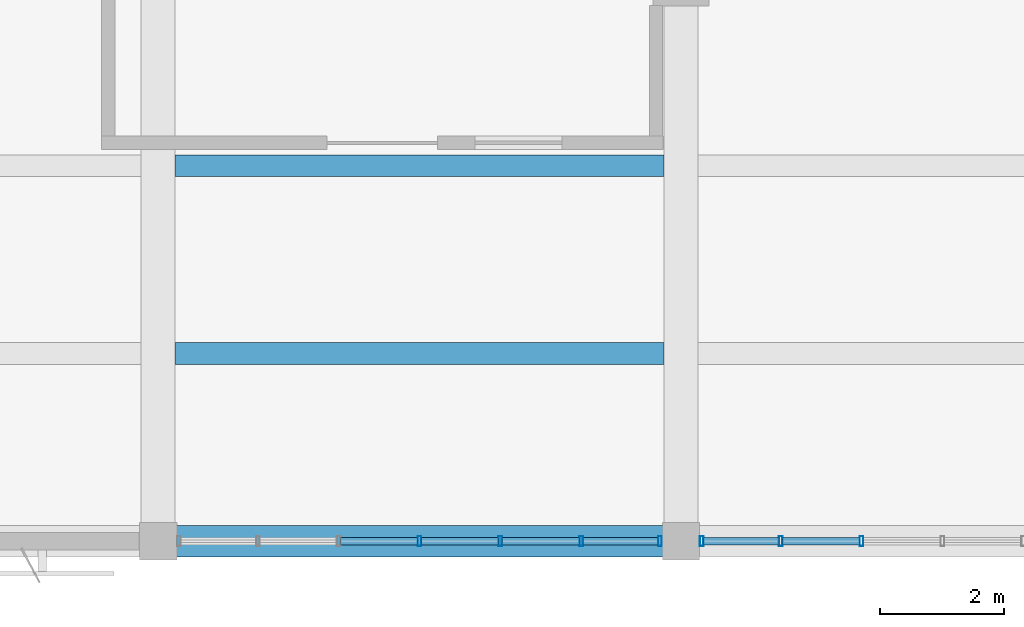
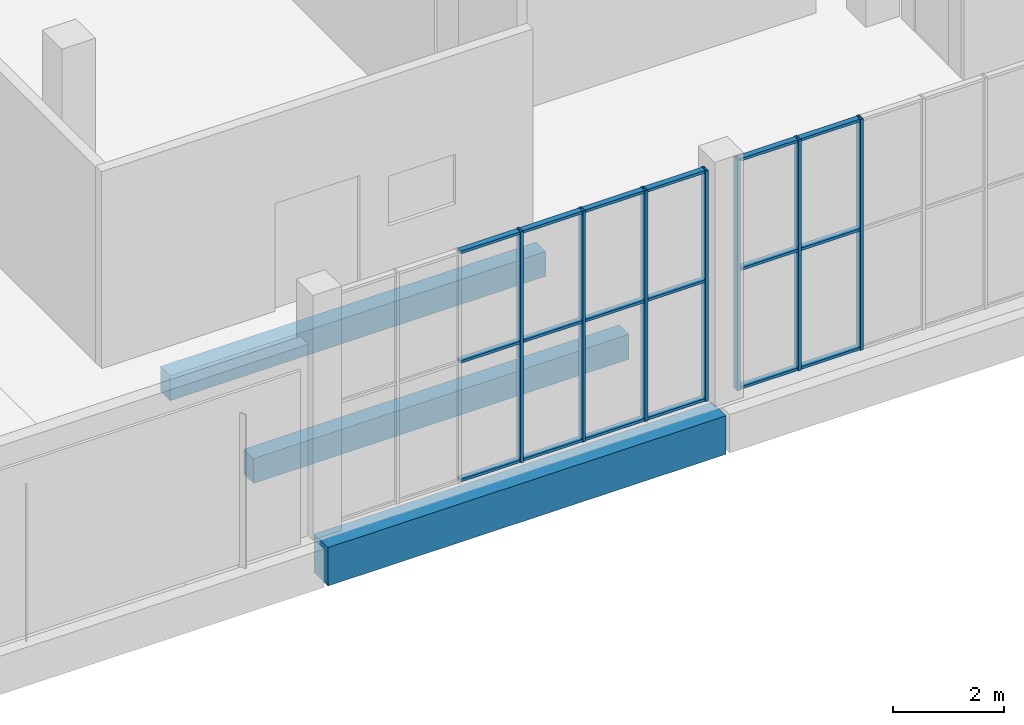
# One storey, part 30 of 132: 25 members, 3 beams, 2 elements without a shape of their own.
"""IFC4 building model written with IfcOpenShell, lengths in metres."""

import ifcopenshell
import ifcopenshell.guid

model = None  # the IFC model being written
_history = None  # IfcOwnerHistory: only IFC2X3 demands one
_inside = {}  # id of a spatial element -> (the spatial element, [elements in it])
_under = {}  # id of a project, library or spatial element -> (it, [spatial elements below it])
_declared = {}  # id of a project -> (the project, [libraries it declares])
_typed = {}  # id of a type object -> (the type object, [elements of that type])
_made_of = {}  # id of a material, layer set ... -> (it, [elements and type objects made of it])


def new_model(schema):
    """Start an empty IFC model of exactly this schema.

    Asked for "IFC4X3", IfcOpenShell would pick the latest addendum, in which some entities
    have other attributes; the version numbers below select the first issue.
    IFC2X3 requires an IfcOwnerHistory on every rooted entity: one is made here for all.
    """
    global model, _history
    if schema == "IFC4X3":
        model = ifcopenshell.file(schema_version=(4, 3, 0, 0))
    else:
        model = ifcopenshell.file(schema=schema)
    _inside.clear()
    _under.clear()
    _declared.clear()
    _typed.clear()
    _made_of.clear()
    _history = None
    if model.schema == "IFC2X3":
        org = make("IfcOrganization", Name="unknown")
        user = make(
            "IfcPersonAndOrganization",
            ThePerson=make("IfcPerson", FamilyName="unknown"),
            TheOrganization=org,
        )
        app = make(
            "IfcApplication",
            ApplicationDeveloper=org,
            Version="unknown",
            ApplicationFullName="unknown",
            ApplicationIdentifier="unknown",
        )
        _history = make(
            "IfcOwnerHistory",
            OwningUser=user,
            OwningApplication=app,
            ChangeAction="ADDED",
            CreationDate=0,
        )
    return model


def make(cls, **values):
    """One entity of the class cls with the attributes given. An attribute that is None is left unset."""
    return model.create_entity(
        cls, **{name: value for name, value in values.items() if value is not None}
    )


def rooted(cls, **values):
    """An entity with a GlobalId (a new one), such as an element, a storey or a relation."""
    return make(cls, GlobalId=ifcopenshell.guid.new(), OwnerHistory=_history, **values)


def si_unit(unit_type, name, prefix=None):
    """IfcSIUnit, for example si_unit("LENGTHUNIT", "METRE", prefix="MILLI")."""
    return make("IfcSIUnit", UnitType=unit_type, Prefix=prefix, Name=name)


def assignment(units):
    """IfcUnitAssignment: the units of a project."""
    return None if units is None else make("IfcUnitAssignment", Units=units)


def point(xyz):
    """IfcCartesianPoint."""
    return None if xyz is None else make("IfcCartesianPoint", Coordinates=xyz)


def direction(xyz):
    """IfcDirection."""
    return None if xyz is None else make("IfcDirection", DirectionRatios=xyz)


def frame(location, z_axis=None, x_axis=None):
    """IfcAxis2Placement3D, a coordinate frame: its origin and axes. An axis left out is left unset."""
    return make(
        "IfcAxis2Placement3D",
        Location=point(location),
        Axis=direction(z_axis),
        RefDirection=direction(x_axis),
    )


def frame_2d(location, x_axis=None):
    """IfcAxis2Placement2D, a coordinate frame in the plane: its origin and x axis."""
    return make(
        "IfcAxis2Placement2D", Location=point(location), RefDirection=direction(x_axis)
    )


def origin():
    """The frame at (0, 0, 0) with its axes left unset."""
    return frame((0.0, 0.0, 0.0))


def origin_2d():
    """The frame at (0, 0) in the plane with its x axis left unset."""
    return frame_2d((0.0, 0.0))


def place(relative_to, where):
    """IfcLocalPlacement: puts the frame where relative to a parent placement (None: the world)."""
    return make(
        "IfcLocalPlacement", PlacementRelTo=relative_to, RelativePlacement=where
    )


def context(
    kind, dimensions, precision=None, world=None, true_north=None, identifier=None
):
    """IfcGeometricRepresentationContext, for example the 3D "Model" context."""
    return make(
        "IfcGeometricRepresentationContext",
        ContextIdentifier=identifier,
        ContextType=kind,
        CoordinateSpaceDimension=dimensions,
        Precision=precision,
        WorldCoordinateSystem=world,
        TrueNorth=true_north,
    )


def subcontext(parent, identifier, kind, view, scale=None):
    """IfcGeometricRepresentationSubContext, for example "Body" below "Model"."""
    return make(
        "IfcGeometricRepresentationSubContext",
        ContextIdentifier=identifier,
        ContextType=kind,
        ParentContext=parent,
        TargetScale=scale,
        TargetView=view,
    )


def project(units=None, contexts=None):
    """IfcProject with its units and contexts."""
    return rooted(
        "IfcProject",
        Name="project",
        RepresentationContexts=contexts,
        UnitsInContext=assignment(units),
    )


def spatial(cls, under=None, at=None, **own):
    """A site, building, storey or space (cls), placed at a placement, below another one or the project."""
    s = rooted(cls, ObjectPlacement=at, **own)
    if under is not None:
        _under.setdefault(under.id(), (under, []))[1].append(s)
    return s


def profile(cls, at=None, kind="AREA", **sizes):
    """A parametric profile (cls). Its sizes go by their IFC names, for example OverallWidth=200.0."""
    return make(cls, ProfileType=kind, Position=at, **sizes)


def rectangle(**sizes):
    """IfcRectangleProfileDef."""
    return profile("IfcRectangleProfileDef", **sizes)


def hollow_rectangle(**sizes):
    """IfcRectangleHollowProfileDef."""
    return profile("IfcRectangleHollowProfileDef", **sizes)


def extrude(swept, where, along, depth):
    """IfcExtrudedAreaSolid: the profile swept, set in the frame where, extruded along a direction by depth."""
    return make(
        "IfcExtrudedAreaSolid",
        SweptArea=swept,
        Position=where,
        ExtrudedDirection=direction(along),
        Depth=depth,
    )


def shape(context_of_items, identifier, shape_type, items):
    """IfcShapeRepresentation: the items that make up one representation, for example the "Body"."""
    return make(
        "IfcShapeRepresentation",
        ContextOfItems=context_of_items,
        RepresentationIdentifier=identifier,
        RepresentationType=shape_type,
        Items=items,
    )


def material(Name=None, Category=None):
    """IfcMaterial."""
    return make("IfcMaterial", Name=Name, Category=Category)


def material_profile(
    of_material, cross_section, Name=None, Category=None, Priority=None
):
    """IfcMaterialProfile: a cross section and its material."""
    return make(
        "IfcMaterialProfile",
        Name=Name,
        Material=of_material,
        Profile=cross_section,
        Priority=Priority,
        Category=Category,
    )


def profile_set(profiles, Name=None, composite=None):
    """IfcMaterialProfileSet."""
    return make(
        "IfcMaterialProfileSet",
        Name=Name,
        MaterialProfiles=profiles,
        CompositeProfile=composite,
    )


def made_of(thing, what):
    """Note that an element or type object is made of a material, layer set ...; save() writes the relation."""
    if what is not None:
        _made_of.setdefault(what.id(), (what, []))[1].append(thing)
    return thing


def type_object(cls, material=None, **own):
    """A type object (cls), such as IfcWallType, which elements share."""
    return made_of(rooted(cls, **own), material)


def element(
    cls,
    number,
    at=None,
    inside=None,
    cuts=None,
    type_object=None,
    material=None,
    context=None,
    identifier="Body",
    shape_type=None,
    held_by="IfcProductDefinitionShape",
    body=None,
    shapes=None,
    **own,
):
    """One element of the class cls, such as IfcWall. Its Tag is "e" and its number.

    at: its placement. inside: the storey or other place that contains it. cuts: it is an
    opening in that element (IfcRelVoidsElement). A single representation is given by context,
    identifier, shape_type and body (its items); several are given by shapes. held_by: the class
    of the entity that holds the representations. save() writes the other relations.
    """
    e = rooted(cls, Tag="e%d" % number, ObjectPlacement=at, **own)
    if body is not None:
        shapes = [shape(context, identifier, shape_type, body)]
    if shapes is not None:
        e.Representation = make(held_by, Representations=shapes)
    if inside is not None:
        _inside.setdefault(inside.id(), (inside, []))[1].append(e)
    if cuts is not None:
        rooted(
            "IfcRelVoidsElement", RelatingBuildingElement=cuts, RelatedOpeningElement=e
        )
    if type_object is not None:
        _typed.setdefault(type_object.id(), (type_object, []))[1].append(e)
    return made_of(e, material)


def aggregate(whole, parts):
    """IfcRelAggregates: a whole, such as a stair, and the parts it consists of."""
    return rooted("IfcRelAggregates", RelatingObject=whole, RelatedObjects=parts)


def save(model, path):
    """Write the relations noted so far, then the file.

    IfcRelAggregates (storeys below a building ...), IfcRelContainedInSpatialStructure (elements
    in a storey), IfcRelDefinesByType, IfcRelAssociatesMaterial and IfcRelDeclares: one each for
    every whole, place, type object, material and project.
    """
    for whole, parts in _under.values():
        aggregate(whole, parts)
    for where, things in _inside.values():
        rooted(
            "IfcRelContainedInSpatialStructure",
            RelatedElements=things,
            RelatingStructure=where,
        )
    for kind, things in _typed.values():
        rooted("IfcRelDefinesByType", RelatedObjects=things, RelatingType=kind)
    for what, things in _made_of.values():
        rooted("IfcRelAssociatesMaterial", RelatedObjects=things, RelatingMaterial=what)
    for by, libraries in _declared.values():
        rooted("IfcRelDeclares", RelatingContext=by, RelatedDefinitions=libraries)
    model.write(path)


model = new_model("IFC4")

# Units and contexts
model_context = context("Model", 3, precision=1e-05, world=origin(), true_north=direction((0.0, 1.0)))
body_context = subcontext(model_context, "Body", "Model", "MODEL_VIEW")
ifc_project = project(units=[si_unit("LENGTHUNIT", "METRE"), si_unit("AREAUNIT", "SQUARE_METRE"), si_unit("VOLUMEUNIT", "CUBIC_METRE"), si_unit("PLANEANGLEUNIT", "RADIAN"), si_unit("MASSUNIT", "GRAM", prefix="KILO")], contexts=[model_context])

# Site, building, storey
site_placement = place(None, origin())
site = spatial("IfcSite", under=ifc_project, at=site_placement, CompositionType="ELEMENT")
building_placement = place(site_placement, origin())
building = spatial("IfcBuilding", under=site, at=building_placement, Name="Khurvash Pelagic Aquarium", CompositionType="ELEMENT")
storey_placement = place(building_placement, frame((0.0, 0.0, 5.39990234375)))
storey = spatial("IfcBuildingStorey", under=building, at=storey_placement, Name="L01", CompositionType="ELEMENT", Elevation=5.39990234375)

# Curtain wall, members
ifc_material_1 = material(Name="Anodised aluminium and low-E laminated glass", Category="aluminium")
curtain_wall_type = type_object("IfcCurtainWallType", Name="CW-05", PredefinedType="USERDEFINED", material=ifc_material_1)
curtain_wall_1_placement = place(storey_placement, origin())
curtain_wall_1 = element("IfcCurtainWall", 1, at=curtain_wall_1_placement, inside=storey, type_object=curtain_wall_type, Name="L01 Facade Unitised Curtain Wall CW-05 0106", ObjectType="UNITISED CURTAIN WALL", PredefinedType="USERDEFINED")
ifc_material_2 = material(Name="Extruded aluminium AW-6063-T6", Category="aluminium")
ifc_material_profile_1 = material_profile(ifc_material_2, hollow_rectangle(XDim=0.06005859375, YDim=0.159912109375, WallThickness=0.00390625, at=origin_2d()), Name="CWM60X160X4")
ifc_profile_set_1 = profile_set([ifc_material_profile_1], Name="Extruded aluminium AW-6063-T6")
member_type_1 = type_object("IfcMemberType", Name="CM-02", PredefinedType="MULLION", material=ifc_profile_set_1)
member_1_placement = place(storey_placement, frame((88.199951171875, 2.60009765625, 0.0), z_axis=(0.0, 0.0, 1.0), x_axis=(1.0, 0.0, 0.0)))
member_1 = element("IfcMember", 2, at=member_1_placement, type_object=member_type_1, Name="CW-05 mullion 4", PredefinedType="MULLION", context=body_context, shape_type="SweptSolid", body=[
    extrude(hollow_rectangle(XDim=0.06005859375, YDim=0.159912109375, WallThickness=0.00390625, at=origin_2d()), origin(), (0.0, 0.0, 1.0), 5.10009765625),
])
member_2_placement = place(storey_placement, frame((89.498291015625, 2.60009765625, 0.0), z_axis=(0.0, 0.0, 1.0), x_axis=(1.0, 0.0, 0.0)))
member_2 = element("IfcMember", 3, at=member_2_placement, type_object=member_type_1, Name="CW-05 mullion 5", PredefinedType="MULLION", context=body_context, shape_type="SweptSolid", body=[
    extrude(hollow_rectangle(XDim=0.06005859375, YDim=0.159912109375, WallThickness=0.00390625, at=origin_2d()), origin(), (0.0, 0.0, 1.0), 5.10009765625),
])
member_3_placement = place(storey_placement, frame((90.796630859375, 2.60009765625, 0.0), z_axis=(0.0, 0.0, 1.0), x_axis=(1.0, 0.0, 0.0)))
member_3 = element("IfcMember", 4, at=member_3_placement, type_object=member_type_1, Name="CW-05 mullion 6", PredefinedType="MULLION", context=body_context, shape_type="SweptSolid", body=[
    extrude(hollow_rectangle(XDim=0.06005859375, YDim=0.159912109375, WallThickness=0.00390625, at=origin_2d()), origin(), (0.0, 0.0, 1.0), 5.10009765625),
])
member_4_placement = place(storey_placement, frame((92.06494140625, 2.60009765625, 0.0), z_axis=(0.0, 0.0, 1.0), x_axis=(1.0, 0.0, 0.0)))
member_4 = element("IfcMember", 5, at=member_4_placement, type_object=member_type_1, Name="CW-05 mullion 7", PredefinedType="MULLION", context=body_context, shape_type="SweptSolid", body=[
    extrude(hollow_rectangle(XDim=0.06005859375, YDim=0.159912109375, WallThickness=0.00390625, at=origin_2d()), origin(), (0.0, 0.0, 1.0), 5.10009765625),
])

curtain_wall_2_placement = place(storey_placement, origin())
curtain_wall_2 = element("IfcCurtainWall", 6, at=curtain_wall_2_placement, inside=storey, type_object=curtain_wall_type, Name="L01 Facade Unitised Curtain Wall CW-05 0107", ObjectType="UNITISED CURTAIN WALL", PredefinedType="USERDEFINED")
member_5_placement = place(storey_placement, frame((92.735107421875, 2.60009765625, 0.0), z_axis=(0.0, 0.0, 1.0), x_axis=(1.0, 0.0, 0.0)))
member_5 = element("IfcMember", 7, at=member_5_placement, type_object=member_type_1, Name="CW-05 mullion 1", PredefinedType="MULLION", context=body_context, shape_type="SweptSolid", body=[
    extrude(hollow_rectangle(XDim=0.06005859375, YDim=0.159912109375, WallThickness=0.00390625, at=origin_2d()), origin(), (0.0, 0.0, 1.0), 5.10009765625),
])
member_6_placement = place(storey_placement, frame((94.00341796875, 2.60009765625, 0.0), z_axis=(0.0, 0.0, 1.0), x_axis=(1.0, 0.0, 0.0)))
member_6 = element("IfcMember", 8, at=member_6_placement, type_object=member_type_1, Name="CW-05 mullion 2", PredefinedType="MULLION", context=body_context, shape_type="SweptSolid", body=[
    extrude(hollow_rectangle(XDim=0.06005859375, YDim=0.159912109375, WallThickness=0.00390625, at=origin_2d()), origin(), (0.0, 0.0, 1.0), 5.10009765625),
])
member_7_placement = place(storey_placement, frame((95.3017578125, 2.60009765625, 0.0), z_axis=(0.0, 0.0, 1.0), x_axis=(1.0, 0.0, 0.0)))
member_7 = element("IfcMember", 9, at=member_7_placement, type_object=member_type_1, Name="CW-05 mullion 3", PredefinedType="MULLION", context=body_context, shape_type="SweptSolid", body=[
    extrude(hollow_rectangle(XDim=0.06005859375, YDim=0.159912109375, WallThickness=0.00390625, at=origin_2d()), origin(), (0.0, 0.0, 1.0), 5.10009765625),
])

# Member
ifc_material_profile_2 = material_profile(ifc_material_2, hollow_rectangle(XDim=0.1201171875, YDim=0.06005859375, WallThickness=0.00390625, at=origin_2d()), Name="CWT120X60X4")
ifc_profile_set_2 = profile_set([ifc_material_profile_2], Name="Extruded aluminium AW-6063-T6")
member_type_2 = type_object("IfcMemberType", Name="CT-02", PredefinedType="USERDEFINED", material=ifc_profile_set_2)
member_8_placement = place(storey_placement, frame((86.931640625, 2.60009765625, 0.030029296875), z_axis=(1.0, 0.0, 0.0), x_axis=(0.0, 1.0, 0.0)))
member_8 = element("IfcMember", 10, at=member_8_placement, type_object=member_type_2, Name="CW-05 transom 3.1", ObjectType="TRANSOM", PredefinedType="USERDEFINED", context=body_context, shape_type="SweptSolid", body=[
    extrude(hollow_rectangle(XDim=0.1201171875, YDim=0.06005859375, WallThickness=0.00390625, at=origin_2d()), origin(), (0.0, 0.0, 1.0), 1.23828125),
])

member_9_placement = place(storey_placement, frame((86.931640625, 2.60009765625, 2.652099609375), z_axis=(1.0, 0.0, 0.0), x_axis=(0.0, 1.0, 0.0)))
member_9 = element("IfcMember", 11, at=member_9_placement, type_object=member_type_2, Name="CW-05 transom 3.2", ObjectType="TRANSOM", PredefinedType="USERDEFINED", context=body_context, shape_type="SweptSolid", body=[
    extrude(hollow_rectangle(XDim=0.1201171875, YDim=0.06005859375, WallThickness=0.00390625, at=origin_2d()), origin(), (0.0, 0.0, 1.0), 1.23828125),
])

member_10_placement = place(storey_placement, frame((86.931640625, 2.60009765625, 5.070068359375), z_axis=(1.0, 0.0, 0.0), x_axis=(0.0, 1.0, 0.0)))
member_10 = element("IfcMember", 12, at=member_10_placement, type_object=member_type_2, Name="CW-05 transom 3.3", ObjectType="TRANSOM", PredefinedType="USERDEFINED", context=body_context, shape_type="SweptSolid", body=[
    extrude(hollow_rectangle(XDim=0.1201171875, YDim=0.06005859375, WallThickness=0.00390625, at=origin_2d()), origin(), (0.0, 0.0, 1.0), 1.23828125),
])

member_11_placement = place(storey_placement, frame((88.22998046875, 2.60009765625, 0.030029296875), z_axis=(1.0, 0.0, 0.0), x_axis=(0.0, 1.0, 0.0)))
member_11 = element("IfcMember", 13, at=member_11_placement, type_object=member_type_2, Name="CW-05 transom 4.1", ObjectType="TRANSOM", PredefinedType="USERDEFINED", context=body_context, shape_type="SweptSolid", body=[
    extrude(hollow_rectangle(XDim=0.1201171875, YDim=0.06005859375, WallThickness=0.00390625, at=origin_2d()), origin(), (0.0, 0.0, 1.0), 1.23828125),
])

member_12_placement = place(storey_placement, frame((88.22998046875, 2.60009765625, 2.652099609375), z_axis=(1.0, 0.0, 0.0), x_axis=(0.0, 1.0, 0.0)))
member_12 = element("IfcMember", 14, at=member_12_placement, type_object=member_type_2, Name="CW-05 transom 4.2", ObjectType="TRANSOM", PredefinedType="USERDEFINED", context=body_context, shape_type="SweptSolid", body=[
    extrude(hollow_rectangle(XDim=0.1201171875, YDim=0.06005859375, WallThickness=0.00390625, at=origin_2d()), origin(), (0.0, 0.0, 1.0), 1.23828125),
])

member_13_placement = place(storey_placement, frame((88.22998046875, 2.60009765625, 5.070068359375), z_axis=(1.0, 0.0, 0.0), x_axis=(0.0, 1.0, 0.0)))
member_13 = element("IfcMember", 15, at=member_13_placement, type_object=member_type_2, Name="CW-05 transom 4.3", ObjectType="TRANSOM", PredefinedType="USERDEFINED", context=body_context, shape_type="SweptSolid", body=[
    extrude(hollow_rectangle(XDim=0.1201171875, YDim=0.06005859375, WallThickness=0.00390625, at=origin_2d()), origin(), (0.0, 0.0, 1.0), 1.23828125),
])

member_14_placement = place(storey_placement, frame((89.5283203125, 2.60009765625, 0.030029296875), z_axis=(1.0, 0.0, 0.0), x_axis=(0.0, 1.0, 0.0)))
member_14 = element("IfcMember", 16, at=member_14_placement, type_object=member_type_2, Name="CW-05 transom 5.1", ObjectType="TRANSOM", PredefinedType="USERDEFINED", context=body_context, shape_type="SweptSolid", body=[
    extrude(hollow_rectangle(XDim=0.1201171875, YDim=0.06005859375, WallThickness=0.00390625, at=origin_2d()), origin(), (0.0, 0.0, 1.0), 1.23828125),
])

member_15_placement = place(storey_placement, frame((89.5283203125, 2.60009765625, 2.652099609375), z_axis=(1.0, 0.0, 0.0), x_axis=(0.0, 1.0, 0.0)))
member_15 = element("IfcMember", 17, at=member_15_placement, type_object=member_type_2, Name="CW-05 transom 5.2", ObjectType="TRANSOM", PredefinedType="USERDEFINED", context=body_context, shape_type="SweptSolid", body=[
    extrude(hollow_rectangle(XDim=0.1201171875, YDim=0.06005859375, WallThickness=0.00390625, at=origin_2d()), origin(), (0.0, 0.0, 1.0), 1.23828125),
])

member_16_placement = place(storey_placement, frame((89.5283203125, 2.60009765625, 5.070068359375), z_axis=(1.0, 0.0, 0.0), x_axis=(0.0, 1.0, 0.0)))
member_16 = element("IfcMember", 18, at=member_16_placement, type_object=member_type_2, Name="CW-05 transom 5.3", ObjectType="TRANSOM", PredefinedType="USERDEFINED", context=body_context, shape_type="SweptSolid", body=[
    extrude(hollow_rectangle(XDim=0.1201171875, YDim=0.06005859375, WallThickness=0.00390625, at=origin_2d()), origin(), (0.0, 0.0, 1.0), 1.23828125),
])

member_17_placement = place(storey_placement, frame((90.82666015625, 2.60009765625, 0.030029296875), z_axis=(1.0, 0.0, 0.0), x_axis=(0.0, 1.0, 0.0)))
member_17 = element("IfcMember", 19, at=member_17_placement, type_object=member_type_2, Name="CW-05 transom 6.1", ObjectType="TRANSOM", PredefinedType="USERDEFINED", context=body_context, shape_type="SweptSolid", body=[
    extrude(hollow_rectangle(XDim=0.1201171875, YDim=0.06005859375, WallThickness=0.00390625, at=origin_2d()), origin(), (0.0, 0.0, 1.0), 1.208251953125),
])

member_18_placement = place(storey_placement, frame((90.82666015625, 2.60009765625, 2.652099609375), z_axis=(1.0, 0.0, 0.0), x_axis=(0.0, 1.0, 0.0)))
member_18 = element("IfcMember", 20, at=member_18_placement, type_object=member_type_2, Name="CW-05 transom 6.2", ObjectType="TRANSOM", PredefinedType="USERDEFINED", context=body_context, shape_type="SweptSolid", body=[
    extrude(hollow_rectangle(XDim=0.1201171875, YDim=0.06005859375, WallThickness=0.00390625, at=origin_2d()), origin(), (0.0, 0.0, 1.0), 1.208251953125),
])

member_19_placement = place(storey_placement, frame((90.82666015625, 2.60009765625, 5.070068359375), z_axis=(1.0, 0.0, 0.0), x_axis=(0.0, 1.0, 0.0)))
member_19 = element("IfcMember", 21, at=member_19_placement, type_object=member_type_2, Name="CW-05 transom 6.3", ObjectType="TRANSOM", PredefinedType="USERDEFINED", context=body_context, shape_type="SweptSolid", body=[
    extrude(hollow_rectangle(XDim=0.1201171875, YDim=0.06005859375, WallThickness=0.00390625, at=origin_2d()), origin(), (0.0, 0.0, 1.0), 1.208251953125),
])

aggregate(curtain_wall_1, [member_1, member_2, member_3, member_4, member_8, member_9, member_10, member_11, member_12, member_13, member_14, member_15, member_16, member_17, member_18, member_19])

member_20_placement = place(storey_placement, frame((92.764892578125, 2.60009765625, 0.030029296875), z_axis=(1.0, 0.0, 0.0), x_axis=(0.0, 1.0, 0.0)))
member_20 = element("IfcMember", 22, at=member_20_placement, type_object=member_type_2, Name="CW-05 transom 1.1", ObjectType="TRANSOM", PredefinedType="USERDEFINED", context=body_context, shape_type="SweptSolid", body=[
    extrude(hollow_rectangle(XDim=0.1201171875, YDim=0.06005859375, WallThickness=0.00390625, at=origin_2d()), origin(), (0.0, 0.0, 1.0), 1.20849609375),
])

member_21_placement = place(storey_placement, frame((92.764892578125, 2.60009765625, 2.652099609375), z_axis=(1.0, 0.0, 0.0), x_axis=(0.0, 1.0, 0.0)))
member_21 = element("IfcMember", 23, at=member_21_placement, type_object=member_type_2, Name="CW-05 transom 1.2", ObjectType="TRANSOM", PredefinedType="USERDEFINED", context=body_context, shape_type="SweptSolid", body=[
    extrude(hollow_rectangle(XDim=0.1201171875, YDim=0.06005859375, WallThickness=0.00390625, at=origin_2d()), origin(), (0.0, 0.0, 1.0), 1.20849609375),
])

member_22_placement = place(storey_placement, frame((92.764892578125, 2.60009765625, 5.070068359375), z_axis=(1.0, 0.0, 0.0), x_axis=(0.0, 1.0, 0.0)))
member_22 = element("IfcMember", 24, at=member_22_placement, type_object=member_type_2, Name="CW-05 transom 1.3", ObjectType="TRANSOM", PredefinedType="USERDEFINED", context=body_context, shape_type="SweptSolid", body=[
    extrude(hollow_rectangle(XDim=0.1201171875, YDim=0.06005859375, WallThickness=0.00390625, at=origin_2d()), origin(), (0.0, 0.0, 1.0), 1.20849609375),
])

member_23_placement = place(storey_placement, frame((94.033447265625, 2.60009765625, 0.030029296875), z_axis=(1.0, 0.0, 0.0), x_axis=(0.0, 1.0, 0.0)))
member_23 = element("IfcMember", 25, at=member_23_placement, type_object=member_type_2, Name="CW-05 transom 2.1", ObjectType="TRANSOM", PredefinedType="USERDEFINED", context=body_context, shape_type="SweptSolid", body=[
    extrude(hollow_rectangle(XDim=0.1201171875, YDim=0.06005859375, WallThickness=0.00390625, at=origin_2d()), origin(), (0.0, 0.0, 1.0), 1.23828125),
])

member_24_placement = place(storey_placement, frame((94.033447265625, 2.60009765625, 2.652099609375), z_axis=(1.0, 0.0, 0.0), x_axis=(0.0, 1.0, 0.0)))
member_24 = element("IfcMember", 26, at=member_24_placement, type_object=member_type_2, Name="CW-05 transom 2.2", ObjectType="TRANSOM", PredefinedType="USERDEFINED", context=body_context, shape_type="SweptSolid", body=[
    extrude(hollow_rectangle(XDim=0.1201171875, YDim=0.06005859375, WallThickness=0.00390625, at=origin_2d()), origin(), (0.0, 0.0, 1.0), 1.23828125),
])

member_25_placement = place(storey_placement, frame((94.033447265625, 2.60009765625, 5.070068359375), z_axis=(1.0, 0.0, 0.0), x_axis=(0.0, 1.0, 0.0)))
member_25 = element("IfcMember", 27, at=member_25_placement, type_object=member_type_2, Name="CW-05 transom 2.3", ObjectType="TRANSOM", PredefinedType="USERDEFINED", context=body_context, shape_type="SweptSolid", body=[
    extrude(hollow_rectangle(XDim=0.1201171875, YDim=0.06005859375, WallThickness=0.00390625, at=origin_2d()), origin(), (0.0, 0.0, 1.0), 1.23828125),
])

aggregate(curtain_wall_2, [member_5, member_6, member_7, member_20, member_21, member_22, member_23, member_24, member_25])

# Beams
ifc_material_3 = material(Name="Concrete C35/45", Category="concrete")
ifc_material_profile_3 = material_profile(ifc_material_3, rectangle(XDim=0.35009765625, YDim=0.550048828125, at=origin_2d()), Name="RC350X550")
ifc_profile_set_3 = profile_set([ifc_material_profile_3], Name="Concrete C35/45")
beam_type_1 = type_object("IfcBeamType", Name="JS-01", PredefinedType="JOIST", material=ifc_profile_set_3)
for number, where, z_axis, x_axis, name in (
    (28, (84.27490234375, 5.616943359375, -0.5849609375), (1.0, 0.0, 0.0), (0.0, 1.0, 0.0), "L01 Floor Joist JS-01 00522"),
    (29, (84.27490234375, 8.633056640625, -0.5849609375), (1.0, 0.0, 0.0), (0.0, 1.0, 0.0), "L01 Floor Joist JS-01 00523"),
):
    element("IfcBeam", number, at=place(storey_placement, frame(where, z_axis=z_axis, x_axis=x_axis)), inside=storey, type_object=beam_type_1, Name=name, PredefinedType="JOIST", context=body_context, shape_type="SweptSolid", body=[
        extrude(rectangle(XDim=0.35009765625, YDim=0.550048828125, at=origin_2d()), origin(), (0.0, 0.0, 1.0), 7.85009765625),
    ])
ifc_material_4 = material(Name="Concrete C40/50", Category="concrete")
ifc_material_profile_4 = material_profile(ifc_material_4, rectangle(XDim=0.5, YDim=0.85009765625, at=origin_2d()), Name="RC500X850")
ifc_profile_set_4 = profile_set([ifc_material_profile_4], Name="Concrete C40/50")
beam_type_2 = type_object("IfcBeamType", Name="SEB-03", PredefinedType="SPANDREL", material=ifc_profile_set_4)
beam_placement = place(storey_placement, frame((84.0400390625, 2.60009765625, -0.744873046875), z_axis=(1.0, 0.0, 0.0), x_axis=(0.0, 1.0, 0.0)))
element("IfcBeam", 30, at=beam_placement, inside=storey, type_object=beam_type_2, Name="L01 Primary Girder SEB-03 00248", PredefinedType="SPANDREL", context=body_context, shape_type="SweptSolid", body=[
    extrude(rectangle(XDim=0.5, YDim=0.85009765625, at=origin_2d()), origin(), (0.0, 0.0, 1.0), 8.320068359375),
])

save(model, "model.ifc")
